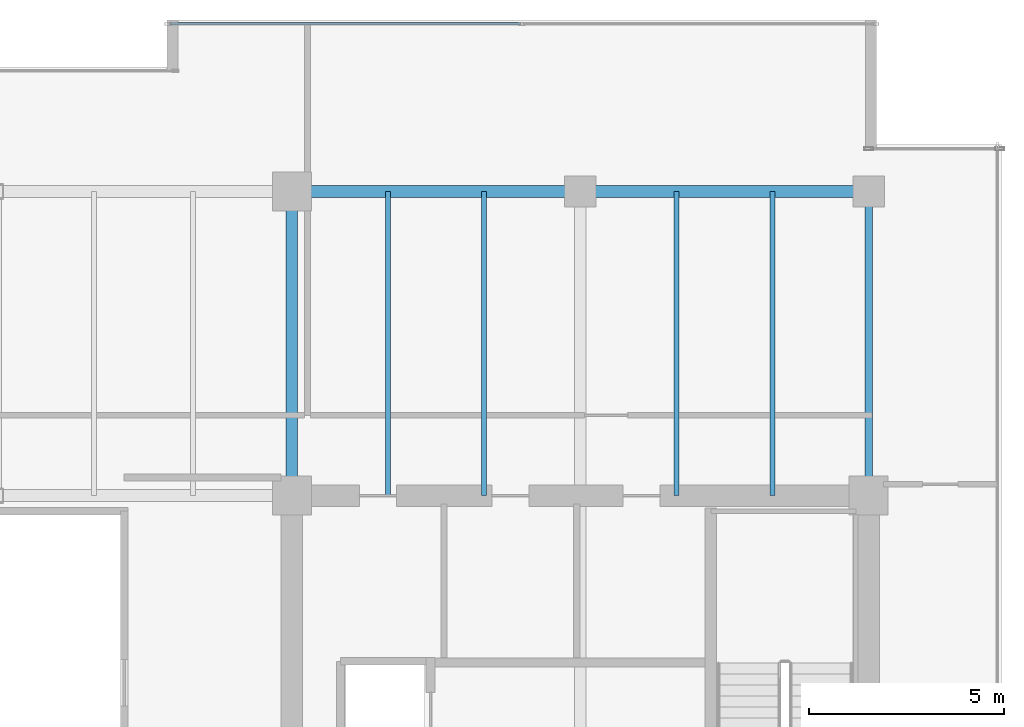
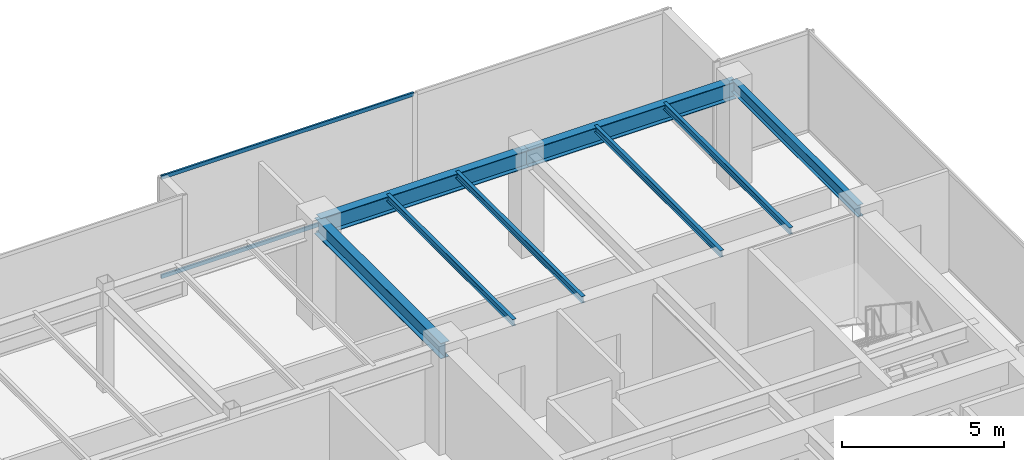
# One storey, part 20 of 33: 8 beams, 2 members, 1 element without a shape of its own.
"""IFC4 building model written with IfcOpenShell, lengths in metres."""

from ifc_helpers import new_model, si_unit, direction, frame, origin, origin_2d, place, context, subcontext, project, spatial, hollow_rectangle, i_section, extrude, source, transform, mapped, material, layer, layer_set, material_profile, profile_set, type_object, type_shapes, element, aggregate, save


model = new_model("IFC4")

# Units and contexts
model_context = context("Model", 3, precision=1e-05, world=origin(), true_north=direction((0.0, 1.0)))
body_context = subcontext(model_context, "Body", "Model", "MODEL_VIEW")
ifc_project = project(units=[si_unit("LENGTHUNIT", "METRE"), si_unit("AREAUNIT", "SQUARE_METRE"), si_unit("VOLUMEUNIT", "CUBIC_METRE"), si_unit("PLANEANGLEUNIT", "RADIAN"), si_unit("MASSUNIT", "GRAM", prefix="KILO")], contexts=[model_context])

# Site, building, storey
site_placement = place(None, origin())
site = spatial("IfcSite", under=ifc_project, at=site_placement, CompositionType="ELEMENT")
building_placement = place(site_placement, origin())
building = spatial("IfcBuilding", under=site, at=building_placement, Name="Haelvirn Gate Laboratories", CompositionType="ELEMENT")
storey_placement = place(building_placement, frame((0.0, 0.0, 271.10009765625)))
storey = spatial("IfcBuildingStorey", under=building, at=storey_placement, Name="L65", CompositionType="ELEMENT", Elevation=271.10009765625)

# Beams
ifc_material_1 = material(Name="Steel SM355", Category="steel")
ifc_material_profile_1 = material_profile(ifc_material_1, i_section(OverallWidth=0.300048828125, OverallDepth=0.587890625, WebThickness=0.011962890625, FlangeThickness=0.02001953125, at=origin_2d()), Name="H-588x300x12x20")
ifc_profile_set_1 = profile_set([ifc_material_profile_1], Name="Steel SM355")
beam_type_1 = type_object("IfcBeamType", Name="BM-G-588", PredefinedType="BEAM", material=ifc_profile_set_1)
shared_shape_1 = source(origin(), body_context, "Body", "SweptSolid", [
    extrude(i_section(OverallWidth=0.300048828125, OverallDepth=0.587890625, WebThickness=0.011962890625, FlangeThickness=0.02001953125, at=origin_2d()), origin(), (0.0, 0.0, 1.0), 7.800048828125),
])
type_shapes(beam_type_1, [shared_shape_1])
beam_1_placement = place(storey_placement, frame((52.60009765625, 33.800048828125, 3.505859375), z_axis=(0.0, 1.0, 0.0), x_axis=(-1.0, 0.0, 0.0)))
element("IfcBeam", 1, at=beam_1_placement, inside=storey, type_object=beam_type_1, Name="L65 Frame Girder X52.6 (33.8-41.6)", PredefinedType="BEAM", context=body_context, shape_type="MappedRepresentation", body=[
    mapped(shared_shape_1, transform((0.0, 0.0, 0.0), scale=1.0)),
])
ifc_material_profile_2 = material_profile(ifc_material_1, i_section(OverallWidth=0.300048828125, OverallDepth=0.64990234375, WebThickness=0.012939453125, FlangeThickness=0.02197265625, at=origin_2d()), Name="H-650x300x13x22")
ifc_profile_set_2 = profile_set([ifc_material_profile_2], Name="Steel SM355")
beam_type_2 = type_object("IfcBeamType", Name="BM-G-650", PredefinedType="BEAM", material=ifc_profile_set_2)
shared_shape_2 = source(origin(), body_context, "Body", "SweptSolid", [
    extrude(i_section(OverallWidth=0.300048828125, OverallDepth=0.64990234375, WebThickness=0.012939453125, FlangeThickness=0.02197265625, at=origin_2d()), origin(), (0.0, 0.0, 1.0), 7.39990234375),
])
type_shapes(beam_type_2, [shared_shape_2])
for number, where, z_axis, x_axis, name in (
    (2, (52.60009765625, 41.60009765625, 3.474853515625), (1.0, 0.0, 0.0), (0.0, 1.0, 0.0), "L65 Primary Girder Y41.6 (52.6-60.0)"),
    (3, (60.0, 41.60009765625, 3.474853515625), (1.0, 0.0, 0.0), (0.0, 1.0, 0.0), "L65 Primary Girder Y41.6 (60.0-67.4)"),
):
    element("IfcBeam", number, at=place(storey_placement, frame(where, z_axis=z_axis, x_axis=x_axis)), inside=storey, type_object=beam_type_2, Name=name, PredefinedType="BEAM", context=body_context, shape_type="MappedRepresentation", body=[
        mapped(shared_shape_2, transform((0.0, 0.0, 0.0), scale=1.0)),
    ])
ifc_material_profile_3 = material_profile(ifc_material_1, i_section(OverallWidth=0.199951171875, OverallDepth=0.449951171875, WebThickness=0.009033203125, FlangeThickness=0.013916015625, at=origin_2d()), Name="H-450x200x9x14")
ifc_profile_set_3 = profile_set([ifc_material_profile_3], Name="Steel SM355")
beam_type_3 = type_object("IfcBeamType", Name="BM-SP-450", PredefinedType="SPANDREL", material=ifc_profile_set_3)
shared_shape_3 = source(origin(), body_context, "Body", "SweptSolid", [
    extrude(i_section(OverallWidth=0.199951171875, OverallDepth=0.449951171875, WebThickness=0.009033203125, FlangeThickness=0.013916015625, at=origin_2d()), origin(), (0.0, 0.0, 1.0), 7.800048828125),
])
type_shapes(beam_type_3, [shared_shape_3])
beam_2_placement = place(storey_placement, frame((67.39990234375, 33.800048828125, 3.574951171875), z_axis=(0.0, 1.0, 0.0), x_axis=(-1.0, 0.0, 0.0)))
element("IfcBeam", 4, at=beam_2_placement, inside=storey, type_object=beam_type_3, Name="L65 Perimeter Spandrel X67.4 (33.8-41.6)", PredefinedType="SPANDREL", context=body_context, shape_type="MappedRepresentation", body=[
    mapped(shared_shape_3, transform((0.0, 0.0, 0.0), scale=1.0)),
])
ifc_material_profile_4 = material_profile(ifc_material_1, i_section(OverallWidth=0.125, OverallDepth=0.25, WebThickness=0.006103515625, FlangeThickness=0.009033203125, at=origin_2d()), Name="H-250x125x6x9")
ifc_profile_set_4 = profile_set([ifc_material_profile_4], Name="Steel SM355")
beam_type_4 = type_object("IfcBeamType", Name="BM-J-250", PredefinedType="JOIST", material=ifc_profile_set_4)
shared_shape_4 = source(origin(), body_context, "Body", "SweptSolid", [
    extrude(i_section(OverallWidth=0.125, OverallDepth=0.25, WebThickness=0.006103515625, FlangeThickness=0.009033203125, at=origin_2d()), origin(), (0.0, 0.0, 1.0), 7.800048828125),
])
type_shapes(beam_type_4, [shared_shape_4])
for number, where, z_axis, x_axis, name in (
    (5, (55.070068359375, 33.800048828125, 3.6748046875), (0.0, 1.0, 0.0), (-1.0, 0.0, 0.0), "L65 Composite Lab Joist North X55.07"),
    (6, (57.530029296875, 33.800048828125, 3.6748046875), (0.0, 1.0, 0.0), (-1.0, 0.0, 0.0), "L65 Composite Lab Joist North X57.53"),
    (7, (62.469970703125, 33.800048828125, 3.6748046875), (0.0, 1.0, 0.0), (-1.0, 0.0, 0.0), "L65 Composite Lab Joist North X62.47"),
    (8, (64.929931640625, 33.800048828125, 3.6748046875), (0.0, 1.0, 0.0), (-1.0, 0.0, 0.0), "L65 Composite Lab Joist North X64.93"),
):
    element("IfcBeam", number, at=place(storey_placement, frame(where, z_axis=z_axis, x_axis=x_axis)), inside=storey, type_object=beam_type_4, Name=name, PredefinedType="JOIST", context=body_context, shape_type="MappedRepresentation", body=[
        mapped(shared_shape_4, transform((0.0, 0.0, 0.0), scale=1.0)),
    ])

# Curtain wall, members
ifc_material_2 = material(Name="Anodised bronze unitised aluminium & triple low-E glass", Category="aluminium")
ifc_layer = layer(ifc_material_2, 0.176025390625, Name="CW-SYS-4")
ifc_layer_set = layer_set([ifc_layer], Name="Anodised bronze unitised aluminium & triple low-E glass")
curtain_wall_type = type_object("IfcCurtainWallType", Name="CW-SYS-4", PredefinedType="NOTDEFINED", material=ifc_layer_set)
curtain_wall_placement = place(storey_placement, origin())
curtain_wall = element("IfcCurtainWall", 9, at=curtain_wall_placement, inside=storey, type_object=curtain_wall_type, Name="L65 Unitised Curtain Wall CW-L65-P0-E10-1", PredefinedType="NOTDEFINED")
ifc_material_3 = material(Name="Extruded aluminium 6063-T6 (anodised bronze)", Category="aluminium")
ifc_material_profile_5 = material_profile(ifc_material_3, hollow_rectangle(XDim=0.06494140625, YDim=0.139892578125, WallThickness=0.00390625, at=origin_2d()), Name="CWT-140x65x4")
ifc_profile_set_5 = profile_set([ifc_material_profile_5], Name="Extruded aluminium 6063-T6 (anodised bronze)")
member_type = type_object("IfcMemberType", Name="CWT-T140", PredefinedType="USERDEFINED", material=ifc_profile_set_5)
shared_shape_5 = source(origin(), body_context, "Body", "SweptSolid", [
    extrude(hollow_rectangle(XDim=0.06494140625, YDim=0.139892578125, WallThickness=0.00390625, at=origin_2d()), origin(), (0.0, 0.0, 1.0), 8.9951171875),
])
type_shapes(member_type, [shared_shape_5])
member_1_placement = place(storey_placement, frame((49.469970703125, 45.89990234375, 0.032470703125), z_axis=(1.0, 0.0, 0.0), x_axis=(0.0, 1.0, 0.0)))
member_1 = element("IfcMember", 10, at=member_1_placement, type_object=member_type, Name="CW4 transom 1.1", ObjectType="TRANSOM", PredefinedType="USERDEFINED", context=body_context, shape_type="MappedRepresentation", body=[
    mapped(shared_shape_5, transform((0.0, 0.0, 0.0), scale=1.0)),
])
member_2_placement = place(storey_placement, frame((49.469970703125, 45.89990234375, 3.767333984375), z_axis=(1.0, 0.0, 0.0), x_axis=(0.0, 1.0, 0.0)))
member_2 = element("IfcMember", 11, at=member_2_placement, type_object=member_type, Name="CW4 transom 1.2", ObjectType="TRANSOM", PredefinedType="USERDEFINED", context=body_context, shape_type="MappedRepresentation", body=[
    mapped(shared_shape_5, transform((0.0, 0.0, 0.0), scale=1.0)),
])
aggregate(curtain_wall, [member_1, member_2])

save(model, "model.ifc")
